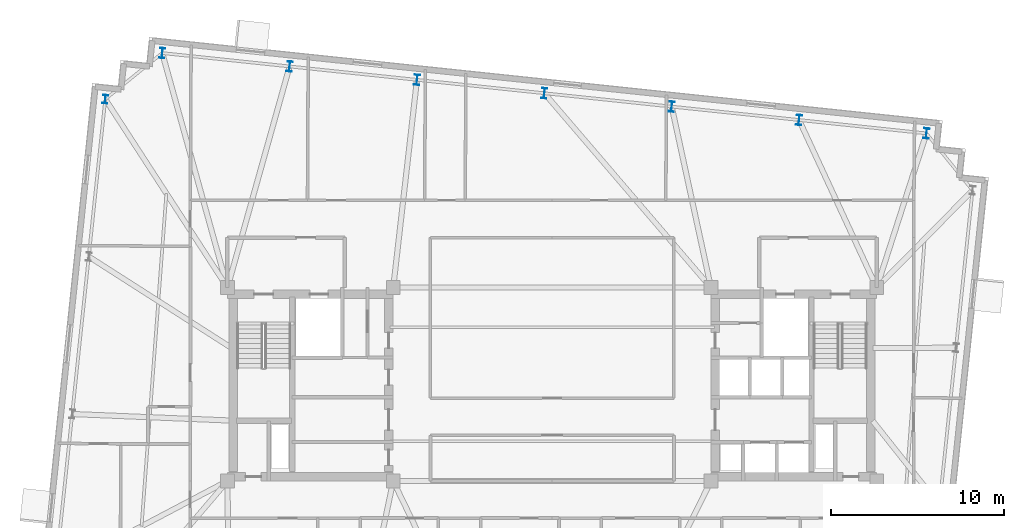
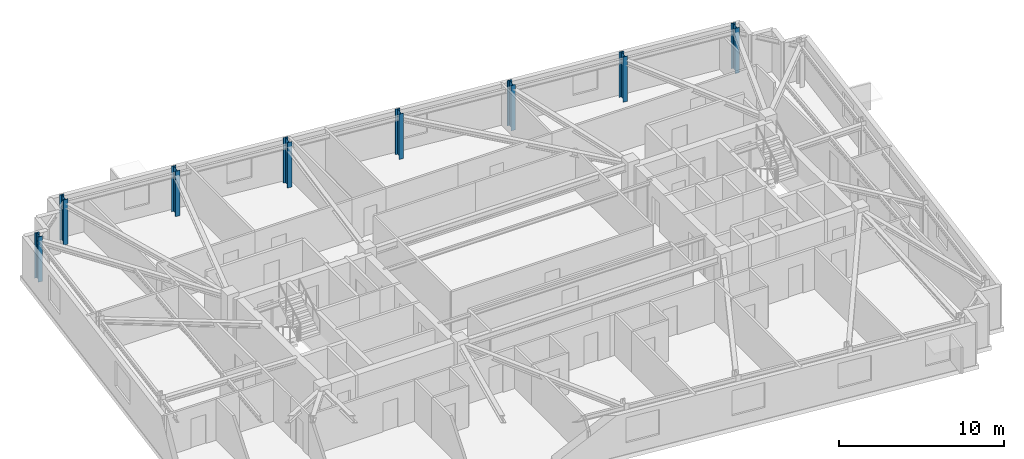
# One storey, part 3 of 11: 8 columns.
"""IFC4 building model written with IfcOpenShell, lengths in metres."""

from ifc_helpers import new_model, si_unit, direction, frame, origin, origin_2d, place, context, subcontext, project, spatial, i_section, extrude, material, material_profile, profile_set, type_object, element, save


model = new_model("IFC4")

# Units and contexts
model_context = context("Model", 3, precision=1e-05, world=origin(), true_north=direction((0.0, 1.0)))
body_context = subcontext(model_context, "Body", "Model", "MODEL_VIEW")
ifc_project = project(units=[si_unit("LENGTHUNIT", "METRE"), si_unit("AREAUNIT", "SQUARE_METRE"), si_unit("VOLUMEUNIT", "CUBIC_METRE"), si_unit("PLANEANGLEUNIT", "RADIAN"), si_unit("MASSUNIT", "GRAM", prefix="KILO")], contexts=[model_context])

# Site, building, storey
site_placement = place(None, origin())
site = spatial("IfcSite", under=ifc_project, at=site_placement, CompositionType="ELEMENT")
building_placement = place(site_placement, origin())
building = spatial("IfcBuilding", under=site, at=building_placement, Name="Qobustan Lattice House", CompositionType="ELEMENT")
storey_placement = place(building_placement, frame((0.0, 0.0, 216.5)))
storey = spatial("IfcBuildingStorey", under=building, at=storey_placement, Name="L61", CompositionType="ELEMENT", Elevation=216.5)

# Columns
ifc_material_1 = material(Name="Steel S355", Category="steel")
ifc_material_profile_1 = material_profile(ifc_material_1, i_section(OverallWidth=0.300048828125, OverallDepth=0.5, WebThickness=0.014404296875, FlangeThickness=0.028076171875, FilletRadius=0.027099609375, at=origin_2d()), Name="HEB500")
ifc_profile_set_1 = profile_set([ifc_material_profile_1], Name="Steel S355")
column_type_1 = type_object("IfcColumnType", Name="COL-ST-HEB500", PredefinedType="COLUMN", material=ifc_profile_set_1)
column_placement = place(storey_placement, frame((-25.87451171875, 16.513916015625, 0.0), z_axis=(0.0, 0.0, 1.0), x_axis=(0.994521895368, -0.104528463268, 0.0)))
element("IfcColumn", 1, at=column_placement, inside=storey, type_object=column_type_1, Name="L61 B4 perimeter column W1", PredefinedType="COLUMN", context=body_context, shape_type="SweptSolid", body=[
    extrude(i_section(OverallWidth=0.300048828125, OverallDepth=0.5, WebThickness=0.014404296875, FlangeThickness=0.028076171875, FilletRadius=0.027099609375, at=origin_2d()), origin(), (0.0, 0.0, 1.0), 3.35009765625),
])
ifc_material_2 = material(Name="Steel S355", Category="steel")
ifc_material_profile_2 = material_profile(ifc_material_2, i_section(OverallWidth=0.300048828125, OverallDepth=0.60009765625, WebThickness=0.015380859375, FlangeThickness=0.030029296875, FilletRadius=0.027099609375, at=origin_2d()), Name="HEB600")
ifc_profile_set_2 = profile_set([ifc_material_profile_2], Name="Steel S355")
column_type_2 = type_object("IfcColumnType", Name="COL-ST-HEB600", PredefinedType="COLUMN", material=ifc_profile_set_2)
for number, where, z_axis, x_axis, name in (
    (2, (21.678955078125, 14.532470703125, 0.0), (0.0, 0.0, 1.0), (0.994521895368, -0.104528463268, 0.0), "L61 B4 perimeter column N1"),
    (3, (14.302978515625, 15.3076171875, 0.0), (0.0, 0.0, 1.0), (0.994521895368, -0.104528463268, 0.0), "L61 B4 perimeter column N2"),
    (4, (6.927001953125, 16.0830078125, 0.0), (0.0, 0.0, 1.0), (0.994521895368, -0.104528463268, 0.0), "L61 B4 perimeter column N3"),
    (5, (-0.44921875, 16.858154296875, 0.0), (0.0, 0.0, 1.0), (0.994521895368, -0.104528463268, 0.0), "L61 B4 perimeter column N4"),
    (6, (-7.8251953125, 17.633544921875, 0.0), (0.0, 0.0, 1.0), (0.994521895368, -0.104528463268, 0.0), "L61 B4 perimeter column N5"),
    (7, (-15.201171875, 18.40869140625, 0.0), (0.0, 0.0, 1.0), (0.994521895368, -0.104528463268, 0.0), "L61 B4 perimeter column N6"),
    (8, (-22.577392578125, 19.18408203125, 0.0), (0.0, 0.0, 1.0), (0.994521895368, -0.104528463268, 0.0), "L61 B4 perimeter column N7"),
):
    element("IfcColumn", number, at=place(storey_placement, frame(where, z_axis=z_axis, x_axis=x_axis)), inside=storey, type_object=column_type_2, Name=name, PredefinedType="COLUMN", context=body_context, shape_type="SweptSolid", body=[
        extrude(i_section(OverallWidth=0.300048828125, OverallDepth=0.60009765625, WebThickness=0.015380859375, FlangeThickness=0.030029296875, FilletRadius=0.027099609375, at=origin_2d()), origin(), (0.0, 0.0, 1.0), 3.35009765625),
    ])

save(model, "model.ifc")
